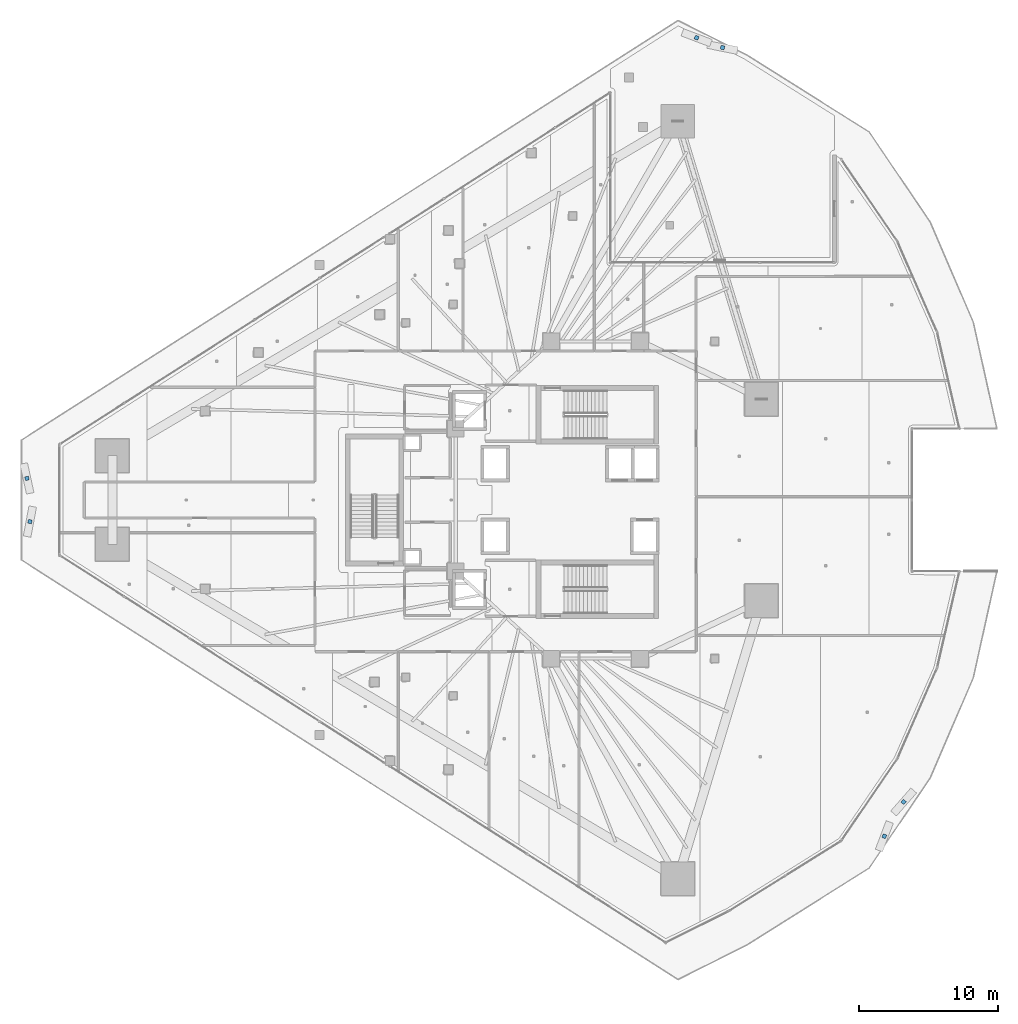
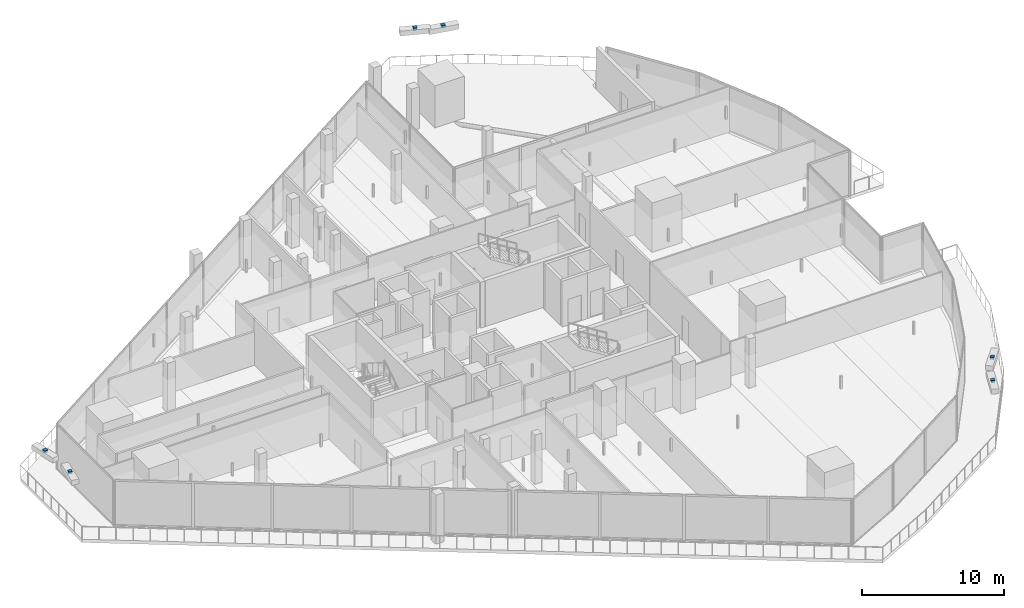
# One storey, part 38 of 47: 6 discrete accessories.
"""IFC4 building model written with IfcOpenShell, lengths in metres."""

from ifc_helpers import new_model, si_unit, direction, frame, origin, origin_2d, place, context, subcontext, project, spatial, rectangle, extrude, material, type_object, element, save


model = new_model("IFC4")

# Units and contexts
model_context = context("Model", 3, precision=1e-05, world=origin(), true_north=direction((0.0, 1.0)))
body_context = subcontext(model_context, "Body", "Model", "MODEL_VIEW")
ifc_project = project(units=[si_unit("LENGTHUNIT", "METRE"), si_unit("AREAUNIT", "SQUARE_METRE"), si_unit("VOLUMEUNIT", "CUBIC_METRE"), si_unit("PLANEANGLEUNIT", "RADIAN"), si_unit("MASSUNIT", "GRAM", prefix="KILO")], contexts=[model_context])

# Site, building, storey
site_placement = place(None, origin())
site = spatial("IfcSite", under=ifc_project, at=site_placement, CompositionType="ELEMENT")
building_placement = place(site_placement, origin())
building = spatial("IfcBuilding", under=site, at=building_placement, Name="Qorvath Tower", CompositionType="ELEMENT")
storey_placement = place(building_placement, frame((0.0, 0.0, 82.800048828125)))
storey = spatial("IfcBuildingStorey", under=building, at=storey_placement, Name="L18", CompositionType="ELEMENT", Elevation=82.800048828125)

# Discrete accessories
ifc_material = material(Name="Galvanised steel bracket", Category="steel")
discrete_accessory_type = type_object("IfcDiscreteAccessoryType", Name="DA-BRACKET", PredefinedType="BRACKET", material=ifc_material)
for number, where, z_axis, x_axis, name in (
    (1, (-61.44091796875, 1.557861328125, 3.77978515625), (0.0, 0.0, 1.0), (0.212743892396, -0.977107996205, 0.0), "Louvre Wave Support Bracket L18-01"),
    (2, (-61.228271484375, -1.557861328125, 3.77978515625), (0.0, 0.0, 1.0), (-0.184644385337, -0.982805398318, 0.0), "Louvre Wave Support Bracket L18-02"),
    (3, (0.437255859375, -24.270263671875, 3.77978515625), (0.0, 0.0, 1.0), (0.354194741108, 0.935171687644, 0.0), "Louvre Wave Support Bracket L18-03"),
    (4, (1.833251953125, -21.79296875, 3.77978515625), (0.0, 0.0, 1.0), (0.658287523403, 0.752766588347, 0.0), "Louvre Wave Support Bracket L18-04"),
    (5, (-11.239501953125, 32.653564453125, 3.77978515625), (0.0, 0.0, 1.0), (-0.979633115264, 0.200795815391, 0.0), "Louvre Wave Support Bracket L18-05"),
    (6, (-13.109375, 33.364990234375, 3.77978515625), (0.0, 0.0, 1.0), (-0.935626517265, 0.352991529913, 0.0), "Louvre Wave Support Bracket L18-06"),
):
    element("IfcDiscreteAccessory", number, at=place(storey_placement, frame(where, z_axis=z_axis, x_axis=x_axis)), inside=storey, type_object=discrete_accessory_type, Name=name, PredefinedType="NOTDEFINED", context=body_context, shape_type="SweptSolid", body=[
        extrude(rectangle(XDim=0.280029296875, YDim=0.280029296875, at=origin_2d()), origin(), (0.0, 0.0, 1.0), 0.199951171875),
    ])

save(model, "model.ifc")
